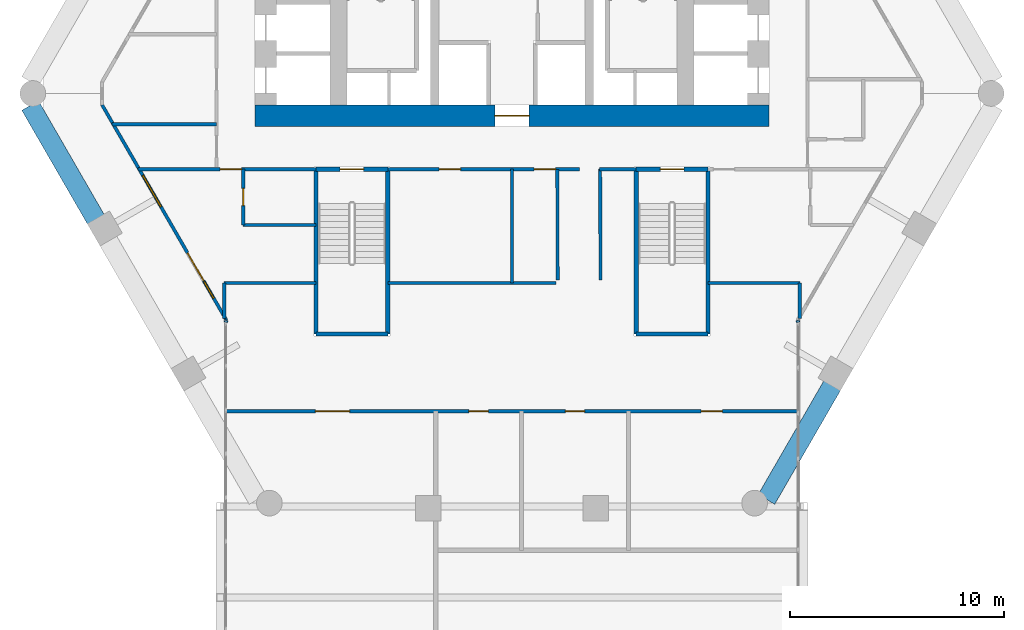
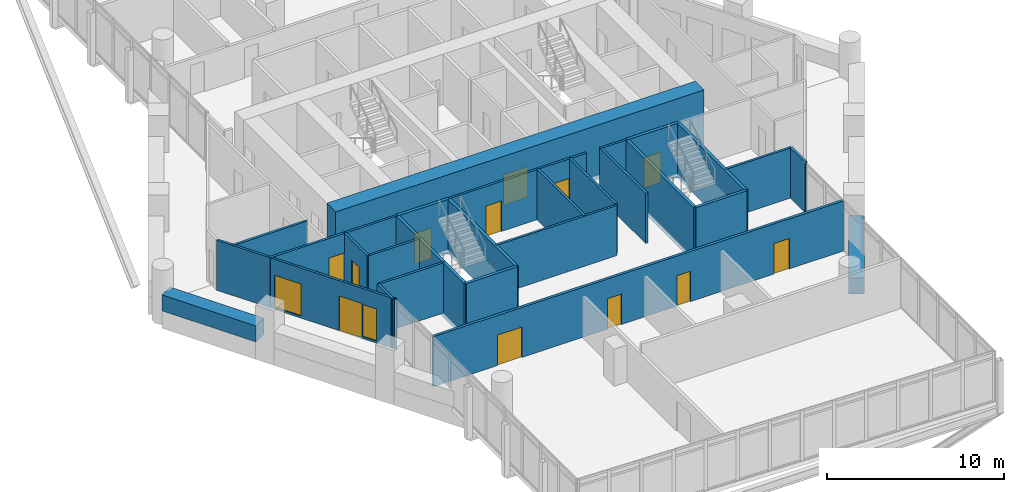
# One storey, part 30 of 37: 29 walls, 12 doors, 2 windows, 14 openings.
"""IFC4 building model written with IfcOpenShell, lengths in metres."""

from ifc_helpers import new_model, si_unit, direction, frame, frame_2d, origin, place, context, subcontext, project, spatial, rectangle, extrude, material, layer, layer_set, type_object, element, fill, save


model = new_model("IFC4")

# Units and contexts
model_context = context("Model", 3, precision=1e-05, world=origin(), true_north=direction((0.0, 1.0)))
body_context = subcontext(model_context, "Body", "Model", "MODEL_VIEW")
ifc_project = project(units=[si_unit("LENGTHUNIT", "METRE"), si_unit("AREAUNIT", "SQUARE_METRE"), si_unit("VOLUMEUNIT", "CUBIC_METRE"), si_unit("PLANEANGLEUNIT", "RADIAN"), si_unit("MASSUNIT", "GRAM", prefix="KILO")], contexts=[model_context])

# Site, building, storey
site_placement = place(None, origin())
site = spatial("IfcSite", under=ifc_project, at=site_placement, CompositionType="ELEMENT")
building_placement = place(site_placement, origin())
building = spatial("IfcBuilding", under=site, at=building_placement, Name="Ostrander Bayou Hotel Tower", CompositionType="ELEMENT")
storey_placement = place(building_placement, frame((0.0, 0.0, 93.0)))
storey = spatial("IfcBuildingStorey", under=building, at=storey_placement, Name="L23", CompositionType="ELEMENT", Elevation=93.0)

# Wall, opening, door
ifc_material_1 = material(Name="Concrete f'c 70 MPa", Category="concrete")
ifc_layer_1 = layer(ifc_material_1, 1.0)
ifc_layer_set_1 = layer_set([ifc_layer_1], Name="CW4 core wall 1000 mm f'c 70 MPa")
wall_type_1 = type_object("IfcWallType", Name="CW4 core wall 1000 mm f'c 70 MPa", PredefinedType="SHEAR", material=ifc_layer_set_1)
wall_1_placement = place(storey_placement, frame((-12.0, -1.199951171875, -0.300048828125), z_axis=(0.0, 0.0, 1.0), x_axis=(1.0, 0.0, 0.0)))
wall_1 = element("IfcWall", 1, at=wall_1_placement, inside=storey, type_object=wall_type_1, Name="CW4 L23 S", PredefinedType="SHEAR", context=body_context, shape_type="SweptSolid", body=[
    extrude(rectangle(XDim=24.0, YDim=1.0, at=frame_2d((12.0, 0.0))), origin(), (0.0, 0.0, 1.0), 3.75),
])
opening_1_placement = place(wall_1_placement, frame((11.199951171875, 0.0, 0.0)))
opening_1 = element("IfcOpeningElement", 2, at=opening_1_placement, cuts=wall_1, Name="Opening T23-001", PredefinedType="OPENING", context=body_context, shape_type="SweptSolid", body=[
    extrude(rectangle(XDim=1.60009765625, YDim=2.10009765625, at=frame_2d((0.800048828125, 1.050048828125))), frame((0.0, 0.5, 0.0), z_axis=(0.0, -1.0, 0.0), x_axis=(1.0, 0.0, 0.0)), (0.0, 0.0, 1.0), 1.0),
])
ifc_material_2 = material(Name="Timber door leaf", Category="wood")
door_type_1 = type_object("IfcDoorType", Name="D13 double door 1600 x 2100 mm, 1 hour", OperationType="SINGLE_SWING_LEFT", PredefinedType="DOOR", material=ifc_material_2)
door_1_placement = place(opening_1_placement, origin())
door_1 = element("IfcDoor", 3, at=door_1_placement, inside=storey, type_object=door_type_1, Name="dr:L23:001", OperationType="DOUBLE_DOOR_SINGLE_SWING", OverallHeight=2.10009765625, OverallWidth=1.60009765625, PredefinedType="DOOR", context=body_context, shape_type="SweptSolid", body=[
    extrude(rectangle(XDim=1.60009765625, YDim=2.10009765625, at=frame_2d((0.800048828125, 1.050048828125))), frame((0.0, 0.02490234375, 0.0), z_axis=(0.0, -1.0, 0.0), x_axis=(1.0, 0.0, 0.0)), (0.0, 0.0, 1.0), 0.050048828125),
])
fill(opening_1, door_1)

# Wall, openings, door, windows
ifc_material_3 = material(Name="Aluminium framed insulated wall", Category="aluminium")
ifc_layer_2 = layer(ifc_material_3, 0.14990234375)
ifc_layer_set_2 = layer_set([ifc_layer_2], Name="GW1 glass-line wall 150 mm")
wall_type_2 = type_object("IfcWallType", Name="GW1 glass-line wall 150 mm", PredefinedType="SOLIDWALL", material=ifc_layer_set_2)
wall_2_placement = place(storey_placement, frame((-19.141357421875, -0.6962890625, 0.0), z_axis=(0.0, 0.0, 1.0), x_axis=(0.500002662854, -0.86602386638, 0.0)))
wall_2 = element("IfcWall", 4, at=wall_2_placement, inside=storey, type_object=wall_type_2, Name="GW1 L23 SW 1", PredefinedType="SOLIDWALL", context=body_context, shape_type="SweptSolid", body=[
    extrude(rectangle(XDim=11.61474609375, YDim=0.14990234375, at=frame_2d((5.807373046875, 0.0))), origin(), (0.0, 0.0, 1.0), 3.449951171875),
])
opening_2_placement = place(wall_2_placement, frame((3.79248046875, 0.0, 0.14990234375)))
opening_2 = element("IfcOpeningElement", 5, at=opening_2_placement, cuts=wall_2, Name="Opening W8", PredefinedType="OPENING", context=body_context, shape_type="SweptSolid", body=[
    extrude(rectangle(XDim=1.699951171875, YDim=2.199951171875, at=frame_2d((0.85009765625, 1.10009765625))), frame((0.0, 0.074951171875, 0.0), z_axis=(0.0, -1.0, 0.0), x_axis=(1.0, 0.0, 0.0)), (0.0, 0.0, 1.0), 0.14990234375),
])
opening_3_placement = place(wall_2_placement, frame((9.530517578125, 0.0, 0.14990234375)))
opening_3 = element("IfcOpeningElement", 6, at=opening_3_placement, cuts=wall_2, Name="Opening W16", PredefinedType="OPENING", context=body_context, shape_type="SweptSolid", body=[
    extrude(rectangle(XDim=0.89990234375, YDim=2.199951171875, at=frame_2d((0.449951171875, 1.10009765625))), frame((0.0, 0.074951171875, 0.0), z_axis=(0.0, -1.0, 0.0), x_axis=(1.0, 0.0, 0.0)), (0.0, 0.0, 1.0), 0.14990234375),
])
opening_4_placement = place(wall_2_placement, frame((7.98046875, 0.0, 0.0)))
opening_4 = element("IfcOpeningElement", 7, at=opening_4_placement, cuts=wall_2, Name="Opening T23-800", PredefinedType="OPENING", context=body_context, shape_type="SweptSolid", body=[
    extrude(rectangle(XDim=1.5, YDim=2.39990234375, at=frame_2d((0.75, 1.199951171875))), frame((0.0, 0.074951171875, 0.0), z_axis=(0.0, -1.0, 0.0), x_axis=(1.0, 0.0, 0.0)), (0.0, 0.0, 1.0), 0.14990234375),
])
ifc_material_4 = material(Name="Aluminium and clear glass", Category="aluminium")
door_type_2 = type_object("IfcDoorType", Name="SD2 sliding glass door 1500 mm, zone 2", OperationType="SLIDING_TO_LEFT", PredefinedType="DOOR", material=ifc_material_4)
door_2_placement = place(opening_4_placement, origin())
door_2 = element("IfcDoor", 8, at=door_2_placement, inside=storey, type_object=door_type_2, Name="SD2 L23 SW 2", OperationType="SLIDING_TO_RIGHT", OverallHeight=2.39990234375, OverallWidth=1.5, PredefinedType="DOOR", context=body_context, shape_type="SweptSolid", body=[
    extrude(rectangle(XDim=1.5, YDim=2.39990234375, at=frame_2d((0.75, 1.199951171875))), frame((0.0, 0.02490234375, 0.0), z_axis=(0.0, -1.0, 0.0), x_axis=(1.0, 0.0, 0.0)), (0.0, 0.0, 1.0), 0.050048828125),
])
fill(opening_4, door_2)
ifc_material_5 = material(Name="Aluminium and clear glass", Category="aluminium")
window_type_1 = type_object("IfcWindowType", Name="W16 window 900 mm, zone 2", PartitioningType="SINGLE_PANEL", PredefinedType="WINDOW", material=ifc_material_5)
window_1_placement = place(opening_3_placement, origin())
window_1 = element("IfcWindow", 9, at=window_1_placement, inside=storey, type_object=window_type_1, Name="W16 L23 SW 2", OverallHeight=2.199951171875, OverallWidth=0.89990234375, PartitioningType="SINGLE_PANEL", PredefinedType="WINDOW", context=body_context, shape_type="SweptSolid", body=[
    extrude(rectangle(XDim=0.89990234375, YDim=2.199951171875, at=frame_2d((0.449951171875, 1.10009765625))), frame((0.0, 0.030029296875, 0.0), z_axis=(0.0, -1.0, 0.0), x_axis=(1.0, 0.0, 0.0)), (0.0, 0.0, 1.0), 0.06005859375),
])
fill(opening_3, window_1)
ifc_material_6 = material(Name="Aluminium and clear glass", Category="aluminium")
window_type_2 = type_object("IfcWindowType", Name="W8 fixed window 1700 mm, bar storeys, zone 2", PartitioningType="SINGLE_PANEL", PredefinedType="WINDOW", material=ifc_material_6)
window_2_placement = place(opening_2_placement, origin())
window_2 = element("IfcWindow", 10, at=window_2_placement, inside=storey, type_object=window_type_2, Name="W8 L23 SW 1", OverallHeight=2.199951171875, OverallWidth=1.699951171875, PartitioningType="SINGLE_PANEL", PredefinedType="WINDOW", context=body_context, shape_type="SweptSolid", body=[
    extrude(rectangle(XDim=1.699951171875, YDim=2.199951171875, at=frame_2d((0.85009765625, 1.10009765625))), frame((0.0, 0.030029296875, 0.0), z_axis=(0.0, -1.0, 0.0), x_axis=(1.0, 0.0, 0.0)), (0.0, 0.0, 1.0), 0.06005859375),
])
fill(opening_2, window_2)

# Walls
for number, where, z_axis, x_axis, name in (
    (11, (-13.333984375, -10.7548828125, 0.0), (0.0, 0.0, 1.0), (-0.337751931921, -0.941235163221, 0.0), "GW1 L23 bar joint 2"),
    (12, (13.333984375, -10.7548828125, 0.0), (0.0, 0.0, 1.0), (0.337751931921, -0.941235163221, 0.0), "GW1 L23 bar joint 3"),
):
    element("IfcWall", number, at=place(storey_placement, frame(where, z_axis=z_axis, x_axis=x_axis)), inside=storey, type_object=wall_type_2, Name=name, PredefinedType="SOLIDWALL", context=body_context, shape_type="SweptSolid", body=[
        extrude(rectangle(XDim=0.098388671875, YDim=0.14990234375, at=frame_2d((0.04931640625, 0.0))), origin(), (0.0, 0.0, 1.0), 3.449951171875),
    ])
ifc_material_7 = material(Name="Limestone masonry", Category="masonry")
ifc_layer_3 = layer(ifc_material_7, 0.89990234375)
ifc_layer_set_3 = layer_set([ifc_layer_3], Name="PA2 limestone parapet 900 mm")
wall_type_3 = type_object("IfcWallType", Name="PA2 limestone parapet 900 mm", PredefinedType="PARAPET", material=ifc_layer_set_3)
wall_3_placement = place(storey_placement, frame((-22.5009765625, -0.727294921875, 0.0), z_axis=(0.0, 0.0, 1.0), x_axis=(0.500006801911, -0.866021476663, 0.0)))
element("IfcWall", 13, at=wall_3_placement, inside=storey, type_object=wall_type_3, Name="PA2 L23 SW-1", PredefinedType="PARAPET", context=body_context, shape_type="SweptSolid", body=[
    extrude(rectangle(XDim=6.14404296875, YDim=0.89990234375, at=frame_2d((3.072021484375, 0.0))), origin(), (0.0, 0.0, 1.0), 1.10009765625),
])
wall_4_placement = place(storey_placement, frame((11.88037109375, -19.122802734375, 0.0), z_axis=(0.0, 0.0, 1.0), x_axis=(0.499976998774, 0.866038683141, 0.0)))
element("IfcWall", 14, at=wall_4_placement, inside=storey, type_object=wall_type_3, Name="PA2 L23 SE-1", PredefinedType="PARAPET", context=body_context, shape_type="SweptSolid", body=[
    extrude(rectangle(XDim=6.143798828125, YDim=0.89990234375, at=frame_2d((3.07177734375, 0.0))), origin(), (0.0, 0.0, 1.0), 1.10009765625),
])

# Wall, openings, doors
ifc_material_8 = material(Name="Gypsum board partition", Category="finish")
ifc_layer_4 = layer(ifc_material_8, 0.175048828125)
ifc_layer_set_4 = layer_set([ifc_layer_4], Name="PT4 corridor wall 175 mm, 1 hour")
wall_type_4 = type_object("IfcWallType", Name="PT4 corridor wall 175 mm, 1 hour", PredefinedType="PARTITIONING", material=ifc_layer_set_4)
wall_5_placement = place(storey_placement, frame((-13.34814453125, -15.0, 0.0), z_axis=(0.0, 0.0, 1.0), x_axis=(1.0, 0.0, 0.0)))
wall_5 = element("IfcWall", 15, at=wall_5_placement, inside=storey, type_object=wall_type_4, Name="sw:L23:500", PredefinedType="PARTITIONING", context=body_context, shape_type="SweptSolid", body=[
    extrude(rectangle(XDim=26.6962890625, YDim=0.175048828125, at=frame_2d((13.34814453125, 0.0))), origin(), (0.0, 0.0, 1.0), 3.449951171875),
])
opening_5_placement = place(wall_5_placement, frame((11.34033203125, 0.0, 0.0)))
opening_5 = element("IfcOpeningElement", 16, at=opening_5_placement, cuts=wall_5, Name="Opening T23-1200", PredefinedType="OPENING", context=body_context, shape_type="SweptSolid", body=[
    extrude(rectangle(XDim=0.89990234375, YDim=2.10009765625, at=frame_2d((0.449951171875, 1.050048828125))), frame((0.0, 0.08740234375, 0.0), z_axis=(0.0, -1.0, 0.0), x_axis=(1.0, 0.0, 0.0)), (0.0, 0.0, 1.0), 0.175048828125),
])
opening_6_placement = place(wall_5_placement, frame((15.84033203125, 0.0, 0.0)))
opening_6 = element("IfcOpeningElement", 17, at=opening_6_placement, cuts=wall_5, Name="Opening T23-1201", PredefinedType="OPENING", context=body_context, shape_type="SweptSolid", body=[
    extrude(rectangle(XDim=0.89990234375, YDim=2.10009765625, at=frame_2d((0.449951171875, 1.050048828125))), frame((0.0, 0.08740234375, 0.0), z_axis=(0.0, -1.0, 0.0), x_axis=(1.0, 0.0, 0.0)), (0.0, 0.0, 1.0), 0.175048828125),
])
opening_7_placement = place(wall_5_placement, frame((22.17529296875, 0.0, 0.0)))
opening_7 = element("IfcOpeningElement", 18, at=opening_7_placement, cuts=wall_5, Name="Opening T23-1202", PredefinedType="OPENING", context=body_context, shape_type="SweptSolid", body=[
    extrude(rectangle(XDim=1.0, YDim=2.10009765625, at=frame_2d((0.5, 1.050048828125))), frame((0.0, 0.08740234375, 0.0), z_axis=(0.0, -1.0, 0.0), x_axis=(1.0, 0.0, 0.0)), (0.0, 0.0, 1.0), 0.175048828125),
])
opening_8_placement = place(wall_5_placement, frame((4.1630859375, 0.0, 0.0)))
opening_8 = element("IfcOpeningElement", 19, at=opening_8_placement, cuts=wall_5, Name="Opening T23-1203", PredefinedType="OPENING", context=body_context, shape_type="SweptSolid", body=[
    extrude(rectangle(XDim=1.60009765625, YDim=2.10009765625, at=frame_2d((0.800048828125, 1.050048828125))), frame((0.0, 0.08740234375, 0.0), z_axis=(0.0, -1.0, 0.0), x_axis=(1.0, 0.0, 0.0)), (0.0, 0.0, 1.0), 0.175048828125),
])
door_3_placement = place(opening_8_placement, origin())
door_3 = element("IfcDoor", 20, at=door_3_placement, inside=storey, type_object=door_type_1, Name="dr:L23:1203", OperationType="DOUBLE_DOOR_SINGLE_SWING", OverallHeight=2.10009765625, OverallWidth=1.60009765625, PredefinedType="DOOR", context=body_context, shape_type="SweptSolid", body=[
    extrude(rectangle(XDim=1.60009765625, YDim=2.10009765625, at=frame_2d((0.800048828125, 1.050048828125))), frame((0.0, 0.02490234375, 0.0), z_axis=(0.0, -1.0, 0.0), x_axis=(1.0, 0.0, 0.0)), (0.0, 0.0, 1.0), 0.050048828125),
])
fill(opening_8, door_3)
ifc_material_9 = material(Name="Timber door leaf", Category="wood")
door_type_3 = type_object("IfcDoorType", Name="D8 room door 900 x 2100 mm", OperationType="SINGLE_SWING_LEFT", PredefinedType="DOOR", material=ifc_material_9)
door_4_placement = place(opening_5_placement, origin())
door_4 = element("IfcDoor", 21, at=door_4_placement, inside=storey, type_object=door_type_3, Name="dr:L23:1200", OperationType="SINGLE_SWING_RIGHT", OverallHeight=2.10009765625, OverallWidth=0.89990234375, PredefinedType="DOOR", context=body_context, shape_type="SweptSolid", body=[
    extrude(rectangle(XDim=0.89990234375, YDim=2.10009765625, at=frame_2d((0.449951171875, 1.050048828125))), frame((0.0, 0.02490234375, 0.0), z_axis=(0.0, -1.0, 0.0), x_axis=(1.0, 0.0, 0.0)), (0.0, 0.0, 1.0), 0.050048828125),
])
fill(opening_5, door_4)
door_5_placement = place(opening_6_placement, origin())
door_5 = element("IfcDoor", 22, at=door_5_placement, inside=storey, type_object=door_type_3, Name="dr:L23:1201", OperationType="SINGLE_SWING_LEFT", OverallHeight=2.10009765625, OverallWidth=0.89990234375, PredefinedType="DOOR", context=body_context, shape_type="SweptSolid", body=[
    extrude(rectangle(XDim=0.89990234375, YDim=2.10009765625, at=frame_2d((0.449951171875, 1.050048828125))), frame((0.0, 0.02490234375, 0.0), z_axis=(0.0, -1.0, 0.0), x_axis=(1.0, 0.0, 0.0)), (0.0, 0.0, 1.0), 0.050048828125),
])
fill(opening_6, door_5)
ifc_material_10 = material(Name="Timber door leaf", Category="wood")
door_type_4 = type_object("IfcDoorType", Name="D9 service door 1000 x 2100 mm, 30 minute", OperationType="SINGLE_SWING_LEFT", PredefinedType="DOOR", material=ifc_material_10)
door_6_placement = place(opening_7_placement, origin())
door_6 = element("IfcDoor", 23, at=door_6_placement, inside=storey, type_object=door_type_4, Name="dr:L23:1202", OperationType="SINGLE_SWING_RIGHT", OverallHeight=2.10009765625, OverallWidth=1.0, PredefinedType="DOOR", context=body_context, shape_type="SweptSolid", body=[
    extrude(rectangle(XDim=1.0, YDim=2.10009765625, at=frame_2d((0.5, 1.050048828125))), frame((0.0, 0.02490234375, 0.0), z_axis=(0.0, -1.0, 0.0), x_axis=(1.0, 0.0, 0.0)), (0.0, 0.0, 1.0), 0.050048828125),
])
fill(opening_7, door_6)

# Walls
ifc_material_11 = material(Name="Gypsum board partition", Category="finish")
ifc_layer_5 = layer(ifc_material_11, 0.14990234375)
ifc_layer_set_5 = layer_set([ifc_layer_5], Name="PT8 service band wall 150 mm, 1 hour")
wall_type_5 = type_object("IfcWallType", Name="PT8 service band wall 150 mm, 1 hour", PredefinedType="PARTITIONING", material=ifc_layer_set_5)
wall_6_placement = place(storey_placement, frame((-13.43994140625, -9.010009765625, 0.0), z_axis=(0.0, 0.0, 1.0), x_axis=(1.0, 0.0, 0.0)))
element("IfcWall", 24, at=wall_6_placement, inside=storey, type_object=wall_type_5, Name="gw:L23:001", PredefinedType="PARTITIONING", context=body_context, shape_type="SweptSolid", body=[
    extrude(rectangle(XDim=4.280029296875, YDim=0.14990234375, at=frame_2d((2.14013671875, 0.0))), origin(), (0.0, 0.0, 1.0), 3.449951171875),
])
wall_7_placement = place(storey_placement, frame((-5.7900390625, -9.010009765625, 0.0), z_axis=(0.0, 0.0, 1.0), x_axis=(1.0, 0.0, 0.0)))
element("IfcWall", 25, at=wall_7_placement, inside=storey, type_object=wall_type_5, Name="gw:L23:002", PredefinedType="PARTITIONING", context=body_context, shape_type="SweptSolid", body=[
    extrude(rectangle(XDim=7.844970703125, YDim=0.14990234375, at=frame_2d((3.92236328125, 0.0))), origin(), (0.0, 0.0, 1.0), 3.449951171875),
])
wall_8_placement = place(storey_placement, frame((9.159912109375, -9.010009765625, 0.0), z_axis=(0.0, 0.0, 1.0), x_axis=(1.0, 0.0, 0.0)))
element("IfcWall", 26, at=wall_8_placement, inside=storey, type_object=wall_type_5, Name="gw:L23:003", PredefinedType="PARTITIONING", context=body_context, shape_type="SweptSolid", body=[
    extrude(rectangle(XDim=4.280029296875, YDim=0.14990234375, at=frame_2d((2.14013671875, 0.0))), origin(), (0.0, 0.0, 1.0), 3.449951171875),
])
wall_9_placement = place(storey_placement, frame((-12.550048828125, -6.300048828125, 0.0), z_axis=(0.0, 0.0, 1.0), x_axis=(1.0, 0.0, 0.0)))
element("IfcWall", 27, at=wall_9_placement, inside=storey, type_object=wall_type_5, Name="gw:L23:004", PredefinedType="PARTITIONING", context=body_context, shape_type="SweptSolid", body=[
    extrude(rectangle(XDim=3.39013671875, YDim=0.14990234375, at=frame_2d((1.695068359375, 0.0))), origin(), (0.0, 0.0, 1.0), 3.449951171875),
])

# Wall, opening, door
wall_10_placement = place(storey_placement, frame((-17.458984375, -3.699951171875, 0.0), z_axis=(0.0, 0.0, 1.0), x_axis=(1.0, 0.0, 0.0)))
wall_10 = element("IfcWall", 28, at=wall_10_placement, inside=storey, type_object=wall_type_5, Name="gw:L23:006", PredefinedType="PARTITIONING", context=body_context, shape_type="SweptSolid", body=[
    extrude(rectangle(XDim=8.299072265625, YDim=0.14990234375, at=frame_2d((4.1494140625, 0.0))), origin(), (0.0, 0.0, 1.0), 3.449951171875),
])
opening_9_placement = place(wall_10_placement, frame((3.833984375, 0.0, 0.0)))
opening_9 = element("IfcOpeningElement", 29, at=opening_9_placement, cuts=wall_10, Name="Opening T23-401", PredefinedType="OPENING", context=body_context, shape_type="SweptSolid", body=[
    extrude(rectangle(XDim=1.0, YDim=2.10009765625, at=frame_2d((0.5, 1.050048828125))), frame((0.0, 0.074951171875, 0.0), z_axis=(0.0, -1.0, 0.0), x_axis=(1.0, 0.0, 0.0)), (0.0, 0.0, 1.0), 0.14990234375),
])
ifc_material_12 = material(Name="Timber door leaf", Category="wood")
door_type_5 = type_object("IfcDoorType", Name="D1 guest room door 1000 x 2100 mm, 30 minute", OperationType="SINGLE_SWING_LEFT", PredefinedType="DOOR", material=ifc_material_12)
door_7_placement = place(opening_9_placement, origin())
door_7 = element("IfcDoor", 30, at=door_7_placement, inside=storey, type_object=door_type_5, Name="dr:L23:401", OperationType="SINGLE_SWING_LEFT", OverallHeight=2.10009765625, OverallWidth=1.0, PredefinedType="DOOR", context=body_context, shape_type="SweptSolid", body=[
    extrude(rectangle(XDim=1.0, YDim=2.10009765625, at=frame_2d((0.5, 1.050048828125))), frame((0.0, 0.02490234375, 0.0), z_axis=(0.0, -1.0, 0.0), x_axis=(1.0, 0.0, 0.0)), (0.0, 0.0, 1.0), 0.050048828125),
])
fill(opening_9, door_7)

# Wall, openings, doors
wall_11_placement = place(storey_placement, frame((-5.7900390625, -3.699951171875, 0.0), z_axis=(0.0, 0.0, 1.0), x_axis=(1.0, 0.0, 0.0)))
wall_11 = element("IfcWall", 31, at=wall_11_placement, inside=storey, type_object=wall_type_5, Name="gw:L23:007", PredefinedType="PARTITIONING", context=body_context, shape_type="SweptSolid", body=[
    extrude(rectangle(XDim=8.945068359375, YDim=0.14990234375, at=frame_2d((4.47265625, 0.0))), origin(), (0.0, 0.0, 1.0), 3.449951171875),
])
opening_10_placement = place(wall_11_placement, frame((2.389892578125, 0.0, 0.0)))
opening_10 = element("IfcOpeningElement", 32, at=opening_10_placement, cuts=wall_11, Name="Opening T23-400", PredefinedType="OPENING", context=body_context, shape_type="SweptSolid", body=[
    extrude(rectangle(XDim=1.0, YDim=2.10009765625, at=frame_2d((0.5, 1.050048828125))), frame((0.0, 0.074951171875, 0.0), z_axis=(0.0, -1.0, 0.0), x_axis=(1.0, 0.0, 0.0)), (0.0, 0.0, 1.0), 0.14990234375),
])
opening_11_placement = place(wall_11_placement, frame((6.826904296875, 0.0, 0.0)))
opening_11 = element("IfcOpeningElement", 33, at=opening_11_placement, cuts=wall_11, Name="Opening T23-403", PredefinedType="OPENING", context=body_context, shape_type="SweptSolid", body=[
    extrude(rectangle(XDim=1.0, YDim=2.10009765625, at=frame_2d((0.5, 1.050048828125))), frame((0.0, 0.074951171875, 0.0), z_axis=(0.0, -1.0, 0.0), x_axis=(1.0, 0.0, 0.0)), (0.0, 0.0, 1.0), 0.14990234375),
])
door_8_placement = place(opening_10_placement, origin())
door_8 = element("IfcDoor", 34, at=door_8_placement, inside=storey, type_object=door_type_4, Name="dr:L23:400", OperationType="SINGLE_SWING_RIGHT", OverallHeight=2.10009765625, OverallWidth=1.0, PredefinedType="DOOR", context=body_context, shape_type="SweptSolid", body=[
    extrude(rectangle(XDim=1.0, YDim=2.10009765625, at=frame_2d((0.5, 1.050048828125))), frame((0.0, 0.02490234375, 0.0), z_axis=(0.0, -1.0, 0.0), x_axis=(1.0, 0.0, 0.0)), (0.0, 0.0, 1.0), 0.050048828125),
])
fill(opening_10, door_8)
door_9_placement = place(opening_11_placement, origin())
door_9 = element("IfcDoor", 35, at=door_9_placement, inside=storey, type_object=door_type_4, Name="dr:L23:403", OperationType="SINGLE_SWING_LEFT", OverallHeight=2.10009765625, OverallWidth=1.0, PredefinedType="DOOR", context=body_context, shape_type="SweptSolid", body=[
    extrude(rectangle(XDim=1.0, YDim=2.10009765625, at=frame_2d((0.5, 1.050048828125))), frame((0.0, 0.02490234375, 0.0), z_axis=(0.0, -1.0, 0.0), x_axis=(1.0, 0.0, 0.0)), (0.0, 0.0, 1.0), 0.050048828125),
])
fill(opening_11, door_9)

# Walls
wall_12_placement = place(storey_placement, frame((4.074951171875, -3.699951171875, 0.0), z_axis=(0.0, 0.0, 1.0), x_axis=(1.0, 0.0, 0.0)))
element("IfcWall", 36, at=wall_12_placement, inside=storey, type_object=wall_type_5, Name="gw:L23:008", PredefinedType="PARTITIONING", context=body_context, shape_type="SweptSolid", body=[
    extrude(rectangle(XDim=1.715087890625, YDim=0.14990234375, at=frame_2d((0.857421875, 0.0))), origin(), (0.0, 0.0, 1.0), 3.449951171875),
])
wall_13_placement = place(storey_placement, frame((-18.672119140625, -1.60009765625, 0.0), z_axis=(0.0, 0.0, 1.0), x_axis=(1.0, 0.0, 0.0)))
element("IfcWall", 37, at=wall_13_placement, inside=storey, type_object=wall_type_5, Name="gw:L23:011", PredefinedType="PARTITIONING", context=body_context, shape_type="SweptSolid", body=[
    extrude(rectangle(XDim=4.8720703125, YDim=0.14990234375, at=frame_2d((2.43603515625, 0.0))), origin(), (0.0, 0.0, 1.0), 3.449951171875),
])
wall_14_placement = place(storey_placement, frame((13.43994140625, -10.660888671875, 0.0), z_axis=(0.0, 0.0, 1.0), x_axis=(0.0, 1.0, 0.0)))
element("IfcWall", 38, at=wall_14_placement, inside=storey, type_object=wall_type_5, Name="gw:L23:019", PredefinedType="PARTITIONING", context=body_context, shape_type="SweptSolid", body=[
    extrude(rectangle(XDim=1.65087890625, YDim=0.14990234375, at=frame_2d((0.825439453125, 0.0))), origin(), (0.0, 0.0, 1.0), 3.449951171875),
])
wall_15_placement = place(storey_placement, frame((0.0, -9.010009765625, 0.0), z_axis=(0.0, 0.0, 1.0), x_axis=(0.0, 1.0, 0.0)))
element("IfcWall", 39, at=wall_15_placement, inside=storey, type_object=wall_type_5, Name="gw:L23:021", PredefinedType="PARTITIONING", context=body_context, shape_type="SweptSolid", body=[
    extrude(rectangle(XDim=5.31005859375, YDim=0.14990234375, at=frame_2d((2.655029296875, 0.0))), origin(), (0.0, 0.0, 1.0), 3.449951171875),
])

# Wall, opening, door
wall_16_placement = place(storey_placement, frame((-12.550048828125, -6.300048828125, 0.0), z_axis=(0.0, 0.0, 1.0), x_axis=(0.0, 1.0, 0.0)))
wall_16 = element("IfcWall", 40, at=wall_16_placement, inside=storey, type_object=wall_type_5, Name="gw:L23:022", PredefinedType="PARTITIONING", context=body_context, shape_type="SweptSolid", body=[
    extrude(rectangle(XDim=2.60009765625, YDim=0.14990234375, at=frame_2d((1.300048828125, 0.0))), origin(), (0.0, 0.0, 1.0), 3.449951171875),
])
opening_12_placement = place(wall_16_placement, frame((0.89990234375, 0.0, 0.0)))
opening_12 = element("IfcOpeningElement", 41, at=opening_12_placement, cuts=wall_16, Name="Opening T23-402", PredefinedType="OPENING", context=body_context, shape_type="SweptSolid", body=[
    extrude(rectangle(XDim=0.800048828125, YDim=2.10009765625, at=frame_2d((0.39990234375, 1.050048828125))), frame((0.0, 0.074951171875, 0.0), z_axis=(0.0, -1.0, 0.0), x_axis=(1.0, 0.0, 0.0)), (0.0, 0.0, 1.0), 0.14990234375),
])
ifc_material_13 = material(Name="Timber door leaf", Category="wood")
door_type_6 = type_object("IfcDoorType", Name="D2 bathroom door 800 x 2100 mm", OperationType="SINGLE_SWING_LEFT", PredefinedType="DOOR", material=ifc_material_13)
door_10_placement = place(opening_12_placement, origin())
door_10 = element("IfcDoor", 42, at=door_10_placement, inside=storey, type_object=door_type_6, Name="dr:L23:402", OperationType="SINGLE_SWING_RIGHT", OverallHeight=2.10009765625, OverallWidth=0.800048828125, PredefinedType="DOOR", context=body_context, shape_type="SweptSolid", body=[
    extrude(rectangle(XDim=0.800048828125, YDim=2.10009765625, at=frame_2d((0.39990234375, 1.050048828125))), frame((0.0, 0.02490234375, 0.0), z_axis=(0.0, -1.0, 0.0), x_axis=(1.0, 0.0, 0.0)), (0.0, 0.0, 1.0), 0.050048828125),
])
fill(opening_12, door_10)

# Walls
wall_17_placement = place(storey_placement, frame((-13.43994140625, -10.660888671875, 0.0), z_axis=(0.0, 0.0, 1.0), x_axis=(0.0, 1.0, 0.0)))
element("IfcWall", 43, at=wall_17_placement, inside=storey, type_object=wall_type_5, Name="gw:L23:023", PredefinedType="PARTITIONING", context=body_context, shape_type="SweptSolid", body=[
    extrude(rectangle(XDim=1.65087890625, YDim=0.14990234375, at=frame_2d((0.825439453125, 0.0))), origin(), (0.0, 0.0, 1.0), 3.449951171875),
])
wall_18_placement = place(storey_placement, frame((4.134033203125, -8.8701171875, 0.0), z_axis=(0.0, 0.0, 1.0), x_axis=(-0.003683216269, 0.999993216936, 0.0)))
element("IfcWall", 44, at=wall_18_placement, inside=storey, type_object=wall_type_5, Name="gw:L23:026", PredefinedType="PARTITIONING", context=body_context, shape_type="SweptSolid", body=[
    extrude(rectangle(XDim=5.170166015625, YDim=0.14990234375, at=frame_2d((2.5849609375, 0.0))), origin(), (0.0, 0.0, 1.0), 3.449951171875),
])
wall_19_placement = place(storey_placement, frame((2.134033203125, -8.8701171875, 0.0), z_axis=(0.0, 0.0, 1.0), x_axis=(-0.003686872276, 0.999993203463, 0.0)))
element("IfcWall", 45, at=wall_19_placement, inside=storey, type_object=wall_type_5, Name="gw:L23:027", PredefinedType="PARTITIONING", context=body_context, shape_type="SweptSolid", body=[
    extrude(rectangle(XDim=5.1650390625, YDim=0.14990234375, at=frame_2d((2.58251953125, 0.0))), origin(), (0.0, 0.0, 1.0), 3.449951171875),
])

# Wall, opening, door
ifc_material_14 = material(Name="Concrete f'c 45 MPa", Category="concrete")
ifc_layer_6 = layer(ifc_material_14, 0.199951171875)
ifc_layer_set_6 = layer_set([ifc_layer_6], Name="SW5 stair enclosure wall 200 mm f'c 45 MPa")
wall_type_6 = type_object("IfcWallType", Name="SW5 stair enclosure wall 200 mm f'c 45 MPa", PredefinedType="SOLIDWALL", material=ifc_layer_set_6)
wall_20_placement = place(storey_placement, frame((5.800048828125, -3.699951171875, -0.300048828125), z_axis=(0.0, 0.0, 1.0), x_axis=(1.0, 0.0, 0.0)))
wall_20 = element("IfcWall", 46, at=wall_20_placement, inside=storey, type_object=wall_type_6, Name="cs:L23:015", PredefinedType="SOLIDWALL", context=body_context, shape_type="SweptSolid", body=[
    extrude(rectangle(XDim=3.349853515625, YDim=0.199951171875, at=frame_2d((1.6748046875, 0.0))), origin(), (0.0, 0.0, 1.0), 3.75),
])
opening_13_placement = place(wall_20_placement, frame((1.125, 0.0, 0.0)))
opening_13 = element("IfcOpeningElement", 47, at=opening_13_placement, cuts=wall_20, Name="Opening T23-007", PredefinedType="OPENING", context=body_context, shape_type="SweptSolid", body=[
    extrude(rectangle(XDim=1.10009765625, YDim=2.10009765625, at=frame_2d((0.550048828125, 1.050048828125))), frame((0.0, 0.10009765625, 0.0), z_axis=(0.0, -1.0, 0.0), x_axis=(1.0, 0.0, 0.0)), (0.0, 0.0, 1.0), 0.199951171875),
])
ifc_material_15 = material(Name="Timber door leaf", Category="wood")
door_type_7 = type_object("IfcDoorType", Name="D5 stair door 1100 x 2100 mm, 90 minute", OperationType="SINGLE_SWING_LEFT", PredefinedType="DOOR", material=ifc_material_15)
door_11_placement = place(opening_13_placement, origin())
door_11 = element("IfcDoor", 48, at=door_11_placement, inside=storey, type_object=door_type_7, Name="dr:L23:007", OperationType="SINGLE_SWING_LEFT", OverallHeight=2.10009765625, OverallWidth=1.10009765625, PredefinedType="DOOR", context=body_context, shape_type="SweptSolid", body=[
    extrude(rectangle(XDim=1.10009765625, YDim=2.10009765625, at=frame_2d((0.550048828125, 1.050048828125))), frame((0.0, 0.02490234375, 0.0), z_axis=(0.0, -1.0, 0.0), x_axis=(1.0, 0.0, 0.0)), (0.0, 0.0, 1.0), 0.050048828125),
])
fill(opening_13, door_11)

# Walls
for number, where, z_axis, x_axis, name in (
    (49, (5.800048828125, -3.699951171875, -0.300048828125), (0.0, 0.0, 1.0), (0.0, -1.0, 0.0), "cs:L23:016"),
    (50, (9.14990234375, -3.699951171875, -0.300048828125), (0.0, 0.0, 1.0), (0.0, -1.0, 0.0), "cs:L23:017"),
):
    element("IfcWall", number, at=place(storey_placement, frame(where, z_axis=z_axis, x_axis=x_axis)), inside=storey, type_object=wall_type_6, Name=name, PredefinedType="SOLIDWALL", context=body_context, shape_type="SweptSolid", body=[
        extrude(rectangle(XDim=7.699951171875, YDim=0.199951171875, at=frame_2d((3.85009765625, 0.0))), origin(), (0.0, 0.0, 1.0), 3.75),
    ])
wall_21_placement = place(storey_placement, frame((5.800048828125, -11.39990234375, -0.300048828125), z_axis=(0.0, 0.0, 1.0), x_axis=(1.0, 0.0, 0.0)))
element("IfcWall", 51, at=wall_21_placement, inside=storey, type_object=wall_type_6, Name="cs:L23:018", PredefinedType="SOLIDWALL", context=body_context, shape_type="SweptSolid", body=[
    extrude(rectangle(XDim=3.349853515625, YDim=0.199951171875, at=frame_2d((1.6748046875, 0.0))), origin(), (0.0, 0.0, 1.0), 3.75),
])

# Wall, opening, door
wall_22_placement = place(storey_placement, frame((-9.14990234375, -3.699951171875, -0.300048828125), z_axis=(0.0, 0.0, 1.0), x_axis=(1.0, 0.0, 0.0)))
wall_22 = element("IfcWall", 52, at=wall_22_placement, inside=storey, type_object=wall_type_6, Name="cs:L23:019", PredefinedType="SOLIDWALL", context=body_context, shape_type="SweptSolid", body=[
    extrude(rectangle(XDim=3.349853515625, YDim=0.199951171875, at=frame_2d((1.6748046875, 0.0))), origin(), (0.0, 0.0, 1.0), 3.75),
])
opening_14_placement = place(wall_22_placement, frame((1.125, 0.0, 0.0)))
opening_14 = element("IfcOpeningElement", 53, at=opening_14_placement, cuts=wall_22, Name="Opening T23-008", PredefinedType="OPENING", context=body_context, shape_type="SweptSolid", body=[
    extrude(rectangle(XDim=1.10009765625, YDim=2.10009765625, at=frame_2d((0.550048828125, 1.050048828125))), frame((0.0, 0.10009765625, 0.0), z_axis=(0.0, -1.0, 0.0), x_axis=(1.0, 0.0, 0.0)), (0.0, 0.0, 1.0), 0.199951171875),
])
door_12_placement = place(opening_14_placement, origin())
door_12 = element("IfcDoor", 54, at=door_12_placement, inside=storey, type_object=door_type_7, Name="dr:L23:008", OperationType="SINGLE_SWING_LEFT", OverallHeight=2.10009765625, OverallWidth=1.10009765625, PredefinedType="DOOR", context=body_context, shape_type="SweptSolid", body=[
    extrude(rectangle(XDim=1.10009765625, YDim=2.10009765625, at=frame_2d((0.550048828125, 1.050048828125))), frame((0.0, 0.02490234375, 0.0), z_axis=(0.0, -1.0, 0.0), x_axis=(1.0, 0.0, 0.0)), (0.0, 0.0, 1.0), 0.050048828125),
])
fill(opening_14, door_12)

# Walls
for number, where, z_axis, x_axis, name in (
    (55, (-9.14990234375, -3.699951171875, -0.300048828125), (0.0, 0.0, 1.0), (0.0, -1.0, 0.0), "cs:L23:020"),
    (56, (-5.800048828125, -3.699951171875, -0.300048828125), (0.0, 0.0, 1.0), (0.0, -1.0, 0.0), "cs:L23:021"),
):
    element("IfcWall", number, at=place(storey_placement, frame(where, z_axis=z_axis, x_axis=x_axis)), inside=storey, type_object=wall_type_6, Name=name, PredefinedType="SOLIDWALL", context=body_context, shape_type="SweptSolid", body=[
        extrude(rectangle(XDim=7.699951171875, YDim=0.199951171875, at=frame_2d((3.85009765625, 0.0))), origin(), (0.0, 0.0, 1.0), 3.75),
    ])
wall_23_placement = place(storey_placement, frame((-9.14990234375, -11.39990234375, -0.300048828125), z_axis=(0.0, 0.0, 1.0), x_axis=(1.0, 0.0, 0.0)))
element("IfcWall", 57, at=wall_23_placement, inside=storey, type_object=wall_type_6, Name="cs:L23:022", PredefinedType="SOLIDWALL", context=body_context, shape_type="SweptSolid", body=[
    extrude(rectangle(XDim=3.349853515625, YDim=0.199951171875, at=frame_2d((1.6748046875, 0.0))), origin(), (0.0, 0.0, 1.0), 3.75),
])

save(model, "model.ifc")
